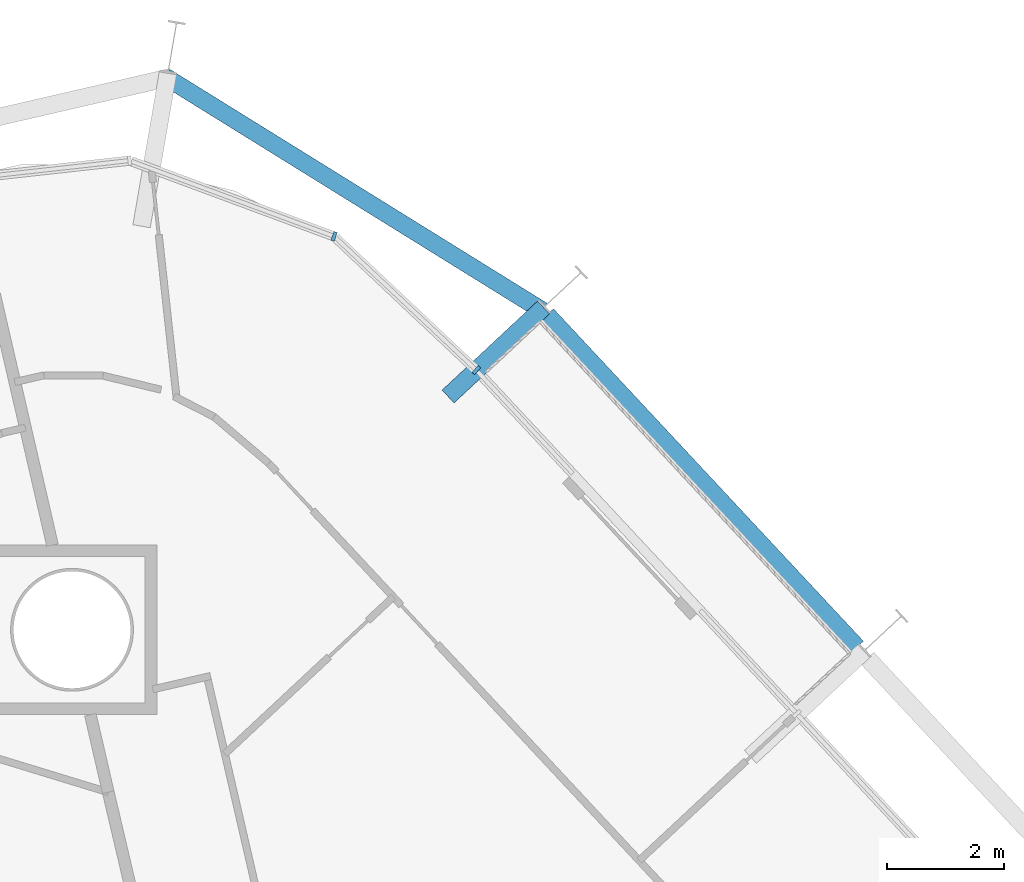
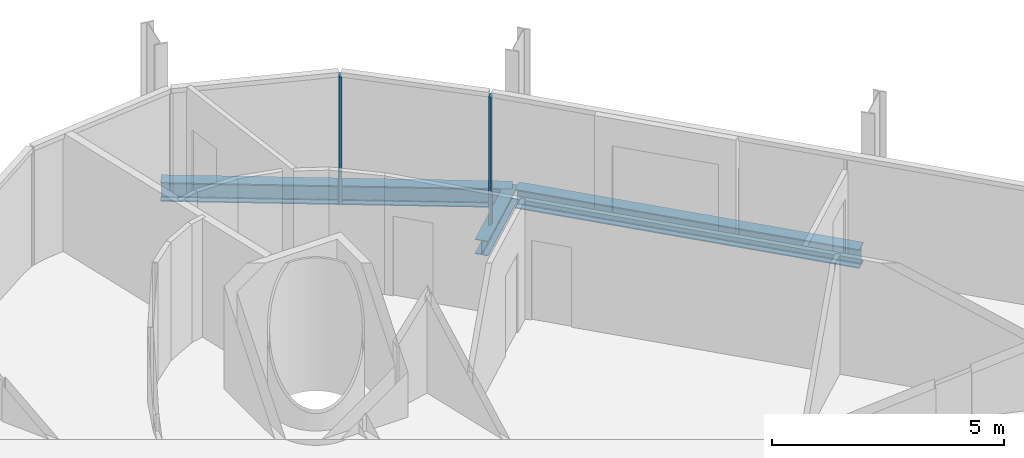
# One storey, part 8 of 18: 3 beams, 2 members, 1 element without a shape of its own.
"""IFC4 building model written with IfcOpenShell, lengths in metres."""

from ifc_helpers import new_model, si_unit, direction, frame, origin, origin_2d, place, context, subcontext, project, spatial, rectangle, i_section, extrude, material, layer, layer_set, material_profile, profile_set, type_object, element, aggregate, save


model = new_model("IFC4")

# Units and contexts
model_context = context("Model", 3, precision=1e-05, world=origin(), true_north=direction((0.0, 1.0)))
body_context = subcontext(model_context, "Body", "Model", "MODEL_VIEW")
ifc_project = project(units=[si_unit("LENGTHUNIT", "METRE"), si_unit("AREAUNIT", "SQUARE_METRE"), si_unit("VOLUMEUNIT", "CUBIC_METRE"), si_unit("PLANEANGLEUNIT", "RADIAN"), si_unit("MASSUNIT", "GRAM", prefix="KILO")], contexts=[model_context])

# Site, building, storey
site_placement = place(None, origin())
site = spatial("IfcSite", under=ifc_project, at=site_placement, CompositionType="ELEMENT")
building_placement = place(site_placement, origin())
building = spatial("IfcBuilding", under=site, at=building_placement, Name="Spindle Arch Residences", CompositionType="ELEMENT")
storey_placement = place(building_placement, frame((0.0, 0.0, 134.39990234375)))
storey = spatial("IfcBuildingStorey", under=building, at=storey_placement, Name="L33", CompositionType="ELEMENT", Elevation=134.39990234375)

# Curtain wall, members
ifc_material_1 = material(Name="Aluminium bronze unitised frame with tinted glass", Category="aluminium")
ifc_layer = layer(ifc_material_1, 0.159912109375)
ifc_layer_set = layer_set([ifc_layer], Name="CW-D corner wall on the fillet arcs")
curtain_wall_type = type_object("IfcCurtainWallType", Name="CW-D corner wall on the fillet arcs", PredefinedType="NOTDEFINED", material=ifc_layer_set)
curtain_wall_placement = place(storey_placement, origin())
curtain_wall = element("IfcCurtainWall", 1, at=curtain_wall_placement, inside=storey, type_object=curtain_wall_type, Name="CW-D L33 run 3", PredefinedType="NOTDEFINED")
ifc_material_2 = material(Name="Aluminium bronze anodised mullion", Category="aluminium")
ifc_material_profile_1 = material_profile(ifc_material_2, rectangle(XDim=0.159912109375, YDim=0.06005859375, at=origin_2d()), Name="MU 60x160")
ifc_profile_set_1 = profile_set([ifc_material_profile_1], Name="Aluminium bronze anodised mullion")
member_type = type_object("IfcMemberType", Name="Bronze mullion 60x160", PredefinedType="MULLION", material=ifc_profile_set_1)
member_1_placement = place(storey_placement, frame((2.010009765625, 25.6611328125, -0.3798828125), z_axis=(0.0, 0.0, 1.0), x_axis=(-0.685289870681, -0.728270412102, 0.0)))
member_1 = element("IfcMember", 2, at=member_1_placement, type_object=member_type, Name="CW-D mullion 00", PredefinedType="MULLION", context=body_context, shape_type="SweptSolid", body=[
    extrude(rectangle(XDim=0.159912109375, YDim=0.06005859375, at=origin_2d()), origin(), (0.0, 0.0, 1.0), 3.3798828125),
])
member_2_placement = place(storey_placement, frame((-0.420654296875, 27.9482421875, -0.3798828125), z_axis=(0.0, 0.0, 1.0), x_axis=(-0.347481235896, -0.937686936403, 0.0)))
member_2 = element("IfcMember", 3, at=member_2_placement, type_object=member_type, Name="CW-D mullion 01", PredefinedType="MULLION", context=body_context, shape_type="SweptSolid", body=[
    extrude(rectangle(XDim=0.159912109375, YDim=0.06005859375, at=origin_2d()), origin(), (0.0, 0.0, 1.0), 3.3798828125),
])
aggregate(curtain_wall, [member_1, member_2])

# Beams
ifc_material_3 = material(Name="Steel S460ML, intumescent coating R 120", Category="steel")
ifc_material_profile_2 = material_profile(ifc_material_3, i_section(OverallWidth=0.300048828125, OverallDepth=0.5, WebThickness=0.014404296875, FlangeThickness=0.028076171875, FilletRadius=0.027099609375, at=origin_2d()), Name="HEB 500")
ifc_profile_set_2 = profile_set([ifc_material_profile_2], Name="Steel S460ML, intumescent coating R 120")
beam_type_1 = type_object("IfcBeamType", Name="Exoskeleton edge beam HEB 500", PredefinedType="BEAM", material=ifc_profile_set_2)
beam_1_placement = place(storey_placement, frame((8.51611328125, 20.927490234375, -0.6298828125), z_axis=(-0.681975565737, 0.731374957007, 0.0), x_axis=(-0.731374957007, -0.681975565737, 0.0)))
element("IfcBeam", 4, at=beam_1_placement, inside=storey, type_object=beam_type_1, Name="Exoskeleton edge beam 9", PredefinedType="BEAM", context=body_context, shape_type="SweptSolid", body=[
    extrude(i_section(OverallWidth=0.300048828125, OverallDepth=0.5, WebThickness=0.014404296875, FlangeThickness=0.028076171875, FilletRadius=0.027099609375, at=origin_2d()), origin(), (0.0, 0.0, 1.0), 7.76904296875),
])
beam_2_placement = place(storey_placement, frame((3.14404296875, 26.67626953125, -0.6298828125), z_axis=(-0.849846805049, 0.52702979797, 0.0), x_axis=(-0.52702979797, -0.849846805049, 0.0)))
element("IfcBeam", 5, at=beam_2_placement, inside=storey, type_object=beam_type_1, Name="Exoskeleton edge beam 10", PredefinedType="BEAM", context=body_context, shape_type="SweptSolid", body=[
    extrude(i_section(OverallWidth=0.300048828125, OverallDepth=0.5, WebThickness=0.014404296875, FlangeThickness=0.028076171875, FilletRadius=0.027099609375, at=origin_2d()), origin(), (0.0, 0.0, 1.0), 7.591552734375),
])
ifc_material_4 = material(Name="Steel S460ML, intumescent coating R 120", Category="steel")
ifc_material_profile_3 = material_profile(ifc_material_4, i_section(OverallWidth=0.300048828125, OverallDepth=0.389892578125, WebThickness=0.010986328125, FlangeThickness=0.01904296875, FilletRadius=0.027099609375, at=origin_2d()), Name="HEA 400")
ifc_profile_set_3 = profile_set([ifc_material_profile_3], Name="Steel S460ML, intumescent coating R 120")
beam_type_2 = type_object("IfcBeamType", Name="Floor outrigger HEA 400", PredefinedType="BEAM", material=ifc_profile_set_3)
beam_3_placement = place(storey_placement, frame((3.158203125, 26.73193359375, -0.574951171875), z_axis=(-0.73130638013, -0.682049102618, 0.0), x_axis=(0.682049102618, -0.73130638013, 0.0)))
element("IfcBeam", 6, at=beam_3_placement, inside=storey, type_object=beam_type_2, Name="Floor outrigger 10", PredefinedType="BEAM", context=body_context, shape_type="SweptSolid", body=[
    extrude(i_section(OverallWidth=0.300048828125, OverallDepth=0.389892578125, WebThickness=0.010986328125, FlangeThickness=0.01904296875, FilletRadius=0.027099609375, at=origin_2d()), origin(), (0.0, 0.0, 1.0), 2.23046875),
])

save(model, "model.ifc")
